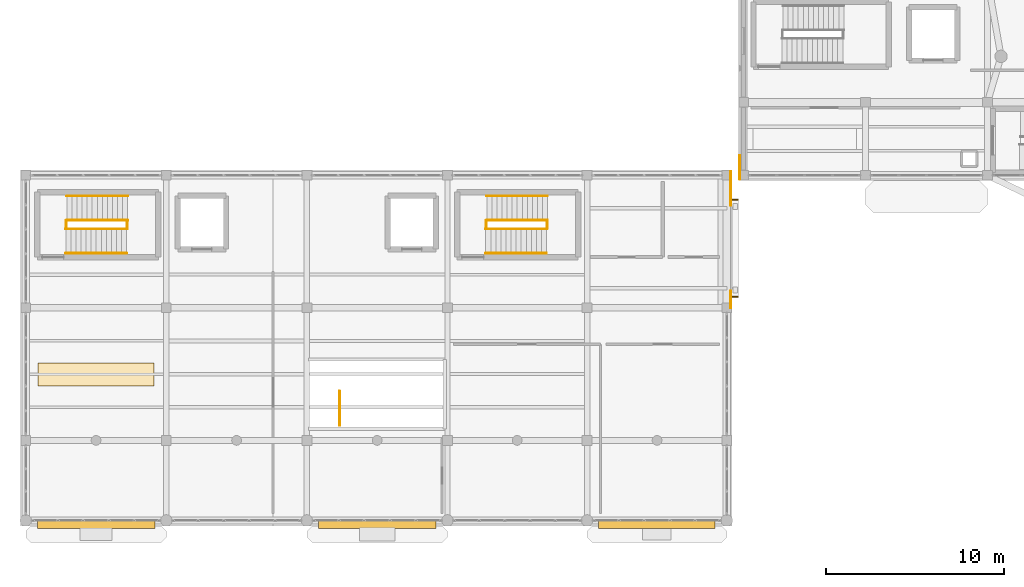
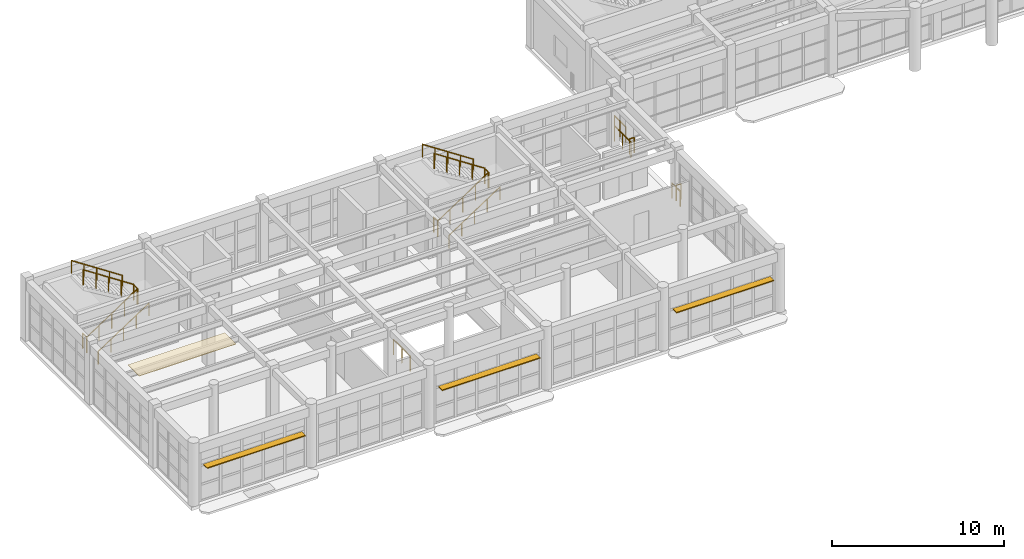
# One storey, part 77 of 85: 18 railings, 3 shading devices, 1 covering.
"""IFC4 building model written with IfcOpenShell, lengths in metres."""

from ifc_helpers import new_model, si_unit, direction, frame, origin, origin_2d, place, context, subcontext, project, spatial, rectangle, circle, extrude, material, layer, layer_set, type_object, element, save


model = new_model("IFC4")

# Units and contexts
model_context = context("Model", 3, precision=1e-05, world=origin(), true_north=direction((0.0, 1.0)))
body_context = subcontext(model_context, "Body", "Model", "MODEL_VIEW")
ifc_project = project(units=[si_unit("LENGTHUNIT", "METRE"), si_unit("AREAUNIT", "SQUARE_METRE"), si_unit("VOLUMEUNIT", "CUBIC_METRE"), si_unit("PLANEANGLEUNIT", "RADIAN"), si_unit("MASSUNIT", "GRAM", prefix="KILO")], contexts=[model_context])

# Site, building, storey
site_placement = place(None, origin())
site = spatial("IfcSite", under=ifc_project, at=site_placement, CompositionType="ELEMENT")
building_placement = place(site_placement, origin())
building = spatial("IfcBuilding", under=site, at=building_placement, Name="Candilejo Ridge Gondola Terminal", CompositionType="ELEMENT")
storey_placement = place(building_placement, frame((0.0, 0.0, 4.5)))
storey = spatial("IfcBuildingStorey", under=building, at=storey_placement, Name="L01", CompositionType="ELEMENT", Elevation=4.5)

# Covering
ifc_material_1 = material(Name="Perforated acoustic aluminium linear plank ceiling", Category="aluminium")
ifc_layer = layer(ifc_material_1, 0.044921875)
ifc_layer_set = layer_set([ifc_layer], Name="ARC-COV-CEILING-AC")
covering_type = type_object("IfcCoveringType", Name="ARC-COV-CEILING-AC", PredefinedType="CEILING", material=ifc_layer_set)
covering_placement = place(storey_placement, frame((8.25, 14.5, 4.20556640625), z_axis=(0.0, 0.0, 1.0), x_axis=(1.0, 0.0, 0.0)))
element("IfcCovering", 1, at=covering_placement, inside=storey, type_object=covering_type, Name="Acoustic ceiling CL-V1-L01-A", PredefinedType="CEILING", context=body_context, shape_type="SweptSolid", body=[
    extrude(rectangle(XDim=6.5, YDim=1.300048828125, at=origin_2d()), origin(), (0.0, 0.0, 1.0), 0.044921875),
])

# Railings
ifc_material_2 = material(Name="Hot-dip galvanised steel ASTM A500 Grade B", Category="steel")
railing_type_1 = type_object("IfcRailingType", Name="ARC-GUARD-GLASS-1150", PredefinedType="GUARDRAIL", material=ifc_material_2)
for number, where, name in (
    (2, (44.02001953125, 18.8798828125, 0.0), "Link bridge guard LB-SJ1-L01-S"),
    (3, (44.02001953125, 24.320068359375, 0.0), "Link bridge guard LB-SJ1-L01-N"),
):
    element("IfcRailing", number, at=place(storey_placement, frame(where)), inside=storey, type_object=railing_type_1, Name=name, PredefinedType="GUARDRAIL", context=body_context, shape_type="SweptSolid", body=[
        extrude(circle(Radius=0.02392578125, at=origin_2d()), frame((0.0, 0.0, 1.076171875), z_axis=(1.0, 0.0, 0.0), x_axis=(0.0, 1.0, 0.0)), (0.0, 0.0, 1.0), 0.31005859375),
        extrude(circle(Radius=0.02099609375, at=origin_2d()), origin(), (0.0, 0.0, 1.0), 1.052001953125),
        extrude(circle(Radius=0.02099609375, at=origin_2d()), frame((0.31005859375, 0.0, 0.0)), (0.0, 0.0, 1.0), 1.052001953125),
    ])
railing_1_placement = place(storey_placement, frame((43.919921875, 18.25, 0.0)))
element("IfcRailing", 4, at=railing_1_placement, inside=storey, type_object=railing_type_1, Name="Deck edge guard GR-V1-L01-E1", PredefinedType="GUARDRAIL", context=body_context, shape_type="SweptSolid", body=[
    extrude(circle(Radius=0.02392578125, at=origin_2d()), frame((0.0, 0.0, 1.076171875), z_axis=(0.0, 1.0, 0.0), x_axis=(-1.0, 0.0, 0.0)), (0.0, 0.0, 1.0), 0.949951171875),
    extrude(circle(Radius=0.02099609375, at=origin_2d()), origin(), (0.0, 0.0, 1.0), 1.052001953125),
    extrude(circle(Radius=0.02099609375, at=origin_2d()), frame((0.0, 0.949951171875, 0.0)), (0.0, 0.0, 1.0), 1.052001953125),
])
railing_2_placement = place(storey_placement, frame((43.919921875, 24.0, 0.0)))
element("IfcRailing", 5, at=railing_2_placement, inside=storey, type_object=railing_type_1, Name="Deck edge guard GR-V1-L01-E2", PredefinedType="GUARDRAIL", context=body_context, shape_type="SweptSolid", body=[
    extrude(circle(Radius=0.02392578125, at=origin_2d()), frame((0.0, 0.0, 1.076171875), z_axis=(0.0, 1.0, 0.0), x_axis=(-1.0, 0.0, 0.0)), (0.0, 0.0, 1.0), 1.919921875),
    extrude(circle(Radius=0.02099609375, at=origin_2d()), origin(), (0.0, 0.0, 1.0), 1.052001953125),
    extrude(circle(Radius=0.02099609375, at=origin_2d()), frame((0.0, 0.9599609375, 0.0)), (0.0, 0.0, 1.0), 1.052001953125),
    extrude(circle(Radius=0.02099609375, at=origin_2d()), frame((0.0, 1.919921875, 0.0)), (0.0, 0.0, 1.0), 1.052001953125),
])
railing_3_placement = place(storey_placement, frame((44.429931640625, 25.47998046875, 0.0)))
element("IfcRailing", 6, at=railing_3_placement, inside=storey, type_object=railing_type_1, Name="Deck edge guard GR-V2-L01-W1", PredefinedType="GUARDRAIL", context=body_context, shape_type="SweptSolid", body=[
    extrude(circle(Radius=0.02392578125, at=origin_2d()), frame((0.0, 0.0, 1.076171875), z_axis=(0.0, 1.0, 0.0), x_axis=(-1.0, 0.0, 0.0)), (0.0, 0.0, 1.0), 1.320068359375),
    extrude(circle(Radius=0.02099609375, at=origin_2d()), origin(), (0.0, 0.0, 1.0), 1.052001953125),
    extrude(circle(Radius=0.02099609375, at=origin_2d()), frame((0.0, 0.66015625, 0.0)), (0.0, 0.0, 1.0), 1.052001953125),
    extrude(circle(Radius=0.02099609375, at=origin_2d()), frame((0.0, 1.320068359375, 0.0)), (0.0, 0.0, 1.0), 1.052001953125),
])
ifc_material_3 = material(Name="Hot-dip galvanised steel ASTM A500 Grade B", Category="steel")
railing_type_2 = type_object("IfcRailingType", Name="ARC-STAIR-GUARD-1100", PredefinedType="GUARDRAIL", material=ifc_material_3)
railing_4_placement = place(storey_placement, frame((6.580078125, 22.68505859375, 0.0)))
element("IfcRailing", 7, at=railing_4_placement, inside=storey, type_object=railing_type_2, Name="Arrival well guard ST-V1A-L00-ARR-L01", PredefinedType="GUARDRAIL", context=body_context, shape_type="SweptSolid", body=[
    extrude(circle(Radius=0.02392578125, at=origin_2d()), frame((0.0, 0.0, 1.076171875), z_axis=(0.0, 1.0, 0.0), x_axis=(-1.0, 0.0, 0.0)), (0.0, 0.0, 1.0), 0.47998046875),
    extrude(circle(Radius=0.02099609375, at=origin_2d()), origin(), (0.0, 0.0, 1.0), 1.052001953125),
    extrude(circle(Radius=0.02099609375, at=origin_2d()), frame((0.0, 0.47998046875, 0.0)), (0.0, 0.0, 1.0), 1.052001953125),
])
railing_5_placement = place(storey_placement, frame((6.550048828125, 22.68505859375, 0.0)))
element("IfcRailing", 8, at=railing_5_placement, inside=storey, type_object=railing_type_2, Name="Flight well guard ST-V1A-F03", PredefinedType="GUARDRAIL", context=body_context, shape_type="SweptSolid", body=[
    extrude(circle(Radius=0.02392578125, at=origin_2d()), frame((0.0, 0.0, 1.076171875), z_axis=(0.835411317272, 0.0, 0.549625264133), x_axis=(0.0, 1.0, 0.0)), (0.0, 0.0, 1.0), 4.09375),
    extrude(circle(Radius=0.02099609375, at=origin_2d()), origin(), (0.0, 0.0, 1.0), 1.052001953125),
    extrude(circle(Radius=0.02099609375, at=origin_2d()), frame((0.85498046875, 0.0, 0.5625)), (0.0, 0.0, 1.0), 1.052001953125),
    extrude(circle(Radius=0.02099609375, at=origin_2d()), frame((1.7099609375, 0.0, 1.125)), (0.0, 0.0, 1.0), 1.052001953125),
    extrude(circle(Radius=0.02099609375, at=origin_2d()), frame((2.56494140625, 0.0, 1.6875)), (0.0, 0.0, 1.0), 1.052001953125),
    extrude(circle(Radius=0.02099609375, at=origin_2d()), frame((3.419921875, 0.0, 2.25)), (0.0, 0.0, 1.0), 1.052001953125),
])
railing_6_placement = place(storey_placement, frame((10.0, 22.68505859375, 2.25)))
element("IfcRailing", 9, at=railing_6_placement, inside=storey, type_object=railing_type_2, Name="Half-landing slot guard ST-V1A-LND-02", PredefinedType="GUARDRAIL", context=body_context, shape_type="SweptSolid", body=[
    extrude(circle(Radius=0.02392578125, at=origin_2d()), frame((0.0, 0.0, 1.076171875), z_axis=(0.0, 1.0, 0.0), x_axis=(-1.0, 0.0, 0.0)), (0.0, 0.0, 1.0), 0.47998046875),
    extrude(circle(Radius=0.02099609375, at=origin_2d()), origin(), (0.0, 0.0, 1.0), 1.052001953125),
    extrude(circle(Radius=0.02099609375, at=origin_2d()), frame((0.0, 0.47998046875, 0.0)), (0.0, 0.0, 1.0), 1.052001953125),
])
railing_7_placement = place(storey_placement, frame((10.030029296875, 23.1650390625, 2.25)))
element("IfcRailing", 10, at=railing_7_placement, inside=storey, type_object=railing_type_2, Name="Flight well guard ST-V1A-F04", PredefinedType="GUARDRAIL", context=body_context, shape_type="SweptSolid", body=[
    extrude(circle(Radius=0.02392578125, at=origin_2d()), frame((0.0, 0.0, 1.076171875), z_axis=(-0.835411317272, 0.0, 0.549625264133), x_axis=(0.0, -1.0, 0.0)), (0.0, 0.0, 1.0), 4.09375),
    extrude(circle(Radius=0.02099609375, at=origin_2d()), origin(), (0.0, 0.0, 1.0), 1.052001953125),
    extrude(circle(Radius=0.02099609375, at=origin_2d()), frame((-0.85498046875, 0.0, 0.5625)), (0.0, 0.0, 1.0), 1.052001953125),
    extrude(circle(Radius=0.02099609375, at=origin_2d()), frame((-1.7099609375, 0.0, 1.125)), (0.0, 0.0, 1.0), 1.052001953125),
    extrude(circle(Radius=0.02099609375, at=origin_2d()), frame((-2.56494140625, 0.0, 1.6875)), (0.0, 0.0, 1.0), 1.052001953125),
    extrude(circle(Radius=0.02099609375, at=origin_2d()), frame((-3.419921875, 0.0, 2.25)), (0.0, 0.0, 1.0), 1.052001953125),
])
railing_8_placement = place(storey_placement, frame((30.179931640625, 22.68505859375, 0.0)))
element("IfcRailing", 11, at=railing_8_placement, inside=storey, type_object=railing_type_2, Name="Arrival well guard ST-V1B-L00-ARR-L01", PredefinedType="GUARDRAIL", context=body_context, shape_type="SweptSolid", body=[
    extrude(circle(Radius=0.02392578125, at=origin_2d()), frame((0.0, 0.0, 1.076171875), z_axis=(0.0, 1.0, 0.0), x_axis=(-1.0, 0.0, 0.0)), (0.0, 0.0, 1.0), 0.47998046875),
    extrude(circle(Radius=0.02099609375, at=origin_2d()), origin(), (0.0, 0.0, 1.0), 1.052001953125),
    extrude(circle(Radius=0.02099609375, at=origin_2d()), frame((0.0, 0.47998046875, 0.0)), (0.0, 0.0, 1.0), 1.052001953125),
])
railing_9_placement = place(storey_placement, frame((30.14990234375, 22.68505859375, 0.0)))
element("IfcRailing", 12, at=railing_9_placement, inside=storey, type_object=railing_type_2, Name="Flight well guard ST-V1B-F03", PredefinedType="GUARDRAIL", context=body_context, shape_type="SweptSolid", body=[
    extrude(circle(Radius=0.02392578125, at=origin_2d()), frame((0.0, 0.0, 1.076171875), z_axis=(0.835429331894, 0.0, 0.549597881557), x_axis=(0.0, 1.0, 0.0)), (0.0, 0.0, 1.0), 4.093994140625),
    extrude(circle(Radius=0.02099609375, at=origin_2d()), origin(), (0.0, 0.0, 1.0), 1.052001953125),
    extrude(circle(Radius=0.02099609375, at=origin_2d()), frame((0.85498046875, 0.0, 0.5625)), (0.0, 0.0, 1.0), 1.052001953125),
    extrude(circle(Radius=0.02099609375, at=origin_2d()), frame((1.7099609375, 0.0, 1.125)), (0.0, 0.0, 1.0), 1.052001953125),
    extrude(circle(Radius=0.02099609375, at=origin_2d()), frame((2.565185546875, 0.0, 1.6875)), (0.0, 0.0, 1.0), 1.052001953125),
    extrude(circle(Radius=0.02099609375, at=origin_2d()), frame((3.420166015625, 0.0, 2.25)), (0.0, 0.0, 1.0), 1.052001953125),
])
railing_10_placement = place(storey_placement, frame((33.60009765625, 22.68505859375, 2.25)))
element("IfcRailing", 13, at=railing_10_placement, inside=storey, type_object=railing_type_2, Name="Half-landing slot guard ST-V1B-LND-02", PredefinedType="GUARDRAIL", context=body_context, shape_type="SweptSolid", body=[
    extrude(circle(Radius=0.02392578125, at=origin_2d()), frame((0.0, 0.0, 1.076171875), z_axis=(0.0, 1.0, 0.0), x_axis=(-1.0, 0.0, 0.0)), (0.0, 0.0, 1.0), 0.47998046875),
    extrude(circle(Radius=0.02099609375, at=origin_2d()), origin(), (0.0, 0.0, 1.0), 1.052001953125),
    extrude(circle(Radius=0.02099609375, at=origin_2d()), frame((0.0, 0.47998046875, 0.0)), (0.0, 0.0, 1.0), 1.052001953125),
])
railing_11_placement = place(storey_placement, frame((33.6298828125, 23.1650390625, 2.25)))
element("IfcRailing", 14, at=railing_11_placement, inside=storey, type_object=railing_type_2, Name="Flight well guard ST-V1B-F04", PredefinedType="GUARDRAIL", context=body_context, shape_type="SweptSolid", body=[
    extrude(circle(Radius=0.02392578125, at=origin_2d()), frame((0.0, 0.0, 1.076171875), z_axis=(-0.835411317272, 0.0, 0.549625264133), x_axis=(0.0, -1.0, 0.0)), (0.0, 0.0, 1.0), 4.09375),
    extrude(circle(Radius=0.02099609375, at=origin_2d()), origin(), (0.0, 0.0, 1.0), 1.052001953125),
    extrude(circle(Radius=0.02099609375, at=origin_2d()), frame((-0.85498046875, 0.0, 0.5625)), (0.0, 0.0, 1.0), 1.052001953125),
    extrude(circle(Radius=0.02099609375, at=origin_2d()), frame((-1.7099609375, 0.0, 1.125)), (0.0, 0.0, 1.0), 1.052001953125),
    extrude(circle(Radius=0.02099609375, at=origin_2d()), frame((-2.56494140625, 0.0, 1.6875)), (0.0, 0.0, 1.0), 1.052001953125),
    extrude(circle(Radius=0.02099609375, at=origin_2d()), frame((-3.419921875, 0.0, 2.25)), (0.0, 0.0, 1.0), 1.052001953125),
])
railing_12_placement = place(storey_placement, frame((21.93994140625, 11.635009765625, 0.0)))
element("IfcRailing", 15, at=railing_12_placement, inside=storey, type_object=railing_type_2, Name="Public stair arrival well guard ST-P01-ARR-L01", PredefinedType="GUARDRAIL", context=body_context, shape_type="SweptSolid", body=[
    extrude(circle(Radius=0.02392578125, at=origin_2d()), frame((0.0, 0.0, 1.076171875), z_axis=(0.0, 1.0, 0.0), x_axis=(-1.0, 0.0, 0.0)), (0.0, 0.0, 1.0), 1.929931640625),
    extrude(circle(Radius=0.02099609375, at=origin_2d()), origin(), (0.0, 0.0, 1.0), 1.052001953125),
    extrude(circle(Radius=0.02099609375, at=origin_2d()), frame((0.0, 0.96484375, 0.0)), (0.0, 0.0, 1.0), 1.052001953125),
    extrude(circle(Radius=0.02099609375, at=origin_2d()), frame((0.0, 1.929931640625, 0.0)), (0.0, 0.0, 1.0), 1.052001953125),
])
ifc_material_4 = material(Name="Brushed stainless steel AISI 316", Category="steel")
railing_type_3 = type_object("IfcRailingType", Name="ARC-STAIR-HANDRAIL-920", PredefinedType="HANDRAIL", material=ifc_material_4)
railing_13_placement = place(storey_placement, frame((6.550048828125, 21.31494140625, 0.0)))
element("IfcRailing", 16, at=railing_13_placement, inside=storey, type_object=railing_type_3, Name="Wall handrail ST-V1A-F03", PredefinedType="HANDRAIL", context=body_context, shape_type="SweptSolid", body=[
    extrude(circle(Radius=0.02392578125, at=origin_2d()), frame((0.0, 0.0, 0.89599609375), z_axis=(0.835411317272, 0.0, 0.549625264133), x_axis=(0.0, 1.0, 0.0)), (0.0, 0.0, 1.0), 4.09375),
    extrude(circle(Radius=0.02099609375, at=origin_2d()), origin(), (0.0, 0.0, 1.0), 0.871826171875),
    extrude(circle(Radius=0.02099609375, at=origin_2d()), frame((0.85498046875, 0.0, 0.5625)), (0.0, 0.0, 1.0), 0.871826171875),
    extrude(circle(Radius=0.02099609375, at=origin_2d()), frame((1.7099609375, 0.0, 1.125)), (0.0, 0.0, 1.0), 0.871826171875),
    extrude(circle(Radius=0.02099609375, at=origin_2d()), frame((2.56494140625, 0.0, 1.6875)), (0.0, 0.0, 1.0), 0.871826171875),
    extrude(circle(Radius=0.02099609375, at=origin_2d()), frame((3.419921875, 0.0, 2.25)), (0.0, 0.0, 1.0), 0.871826171875),
])
railing_14_placement = place(storey_placement, frame((10.030029296875, 24.534912109375, 2.25)))
element("IfcRailing", 17, at=railing_14_placement, inside=storey, type_object=railing_type_3, Name="Wall handrail ST-V1A-F04", PredefinedType="HANDRAIL", context=body_context, shape_type="SweptSolid", body=[
    extrude(circle(Radius=0.02392578125, at=origin_2d()), frame((0.0, 0.0, 0.89599609375), z_axis=(-0.835411317272, 0.0, 0.549625264133), x_axis=(0.0, -1.0, 0.0)), (0.0, 0.0, 1.0), 4.09375),
    extrude(circle(Radius=0.02099609375, at=origin_2d()), origin(), (0.0, 0.0, 1.0), 0.871826171875),
    extrude(circle(Radius=0.02099609375, at=origin_2d()), frame((-0.85498046875, 0.0, 0.5625)), (0.0, 0.0, 1.0), 0.871826171875),
    extrude(circle(Radius=0.02099609375, at=origin_2d()), frame((-1.7099609375, 0.0, 1.125)), (0.0, 0.0, 1.0), 0.871826171875),
    extrude(circle(Radius=0.02099609375, at=origin_2d()), frame((-2.56494140625, 0.0, 1.6875)), (0.0, 0.0, 1.0), 0.871826171875),
    extrude(circle(Radius=0.02099609375, at=origin_2d()), frame((-3.419921875, 0.0, 2.25)), (0.0, 0.0, 1.0), 0.871826171875),
])
railing_15_placement = place(storey_placement, frame((30.14990234375, 21.31494140625, 0.0)))
element("IfcRailing", 18, at=railing_15_placement, inside=storey, type_object=railing_type_3, Name="Wall handrail ST-V1B-F03", PredefinedType="HANDRAIL", context=body_context, shape_type="SweptSolid", body=[
    extrude(circle(Radius=0.02392578125, at=origin_2d()), frame((0.0, 0.0, 0.89599609375), z_axis=(0.835429331894, 0.0, 0.549597881557), x_axis=(0.0, 1.0, 0.0)), (0.0, 0.0, 1.0), 4.093994140625),
    extrude(circle(Radius=0.02099609375, at=origin_2d()), origin(), (0.0, 0.0, 1.0), 0.871826171875),
    extrude(circle(Radius=0.02099609375, at=origin_2d()), frame((0.85498046875, 0.0, 0.5625)), (0.0, 0.0, 1.0), 0.871826171875),
    extrude(circle(Radius=0.02099609375, at=origin_2d()), frame((1.7099609375, 0.0, 1.125)), (0.0, 0.0, 1.0), 0.871826171875),
    extrude(circle(Radius=0.02099609375, at=origin_2d()), frame((2.565185546875, 0.0, 1.6875)), (0.0, 0.0, 1.0), 0.871826171875),
    extrude(circle(Radius=0.02099609375, at=origin_2d()), frame((3.420166015625, 0.0, 2.25)), (0.0, 0.0, 1.0), 0.871826171875),
])
railing_16_placement = place(storey_placement, frame((33.6298828125, 24.534912109375, 2.25)))
element("IfcRailing", 19, at=railing_16_placement, inside=storey, type_object=railing_type_3, Name="Wall handrail ST-V1B-F04", PredefinedType="HANDRAIL", context=body_context, shape_type="SweptSolid", body=[
    extrude(circle(Radius=0.02392578125, at=origin_2d()), frame((0.0, 0.0, 0.89599609375), z_axis=(-0.835411317272, 0.0, 0.549625264133), x_axis=(0.0, -1.0, 0.0)), (0.0, 0.0, 1.0), 4.09375),
    extrude(circle(Radius=0.02099609375, at=origin_2d()), origin(), (0.0, 0.0, 1.0), 0.871826171875),
    extrude(circle(Radius=0.02099609375, at=origin_2d()), frame((-0.85498046875, 0.0, 0.5625)), (0.0, 0.0, 1.0), 0.871826171875),
    extrude(circle(Radius=0.02099609375, at=origin_2d()), frame((-1.7099609375, 0.0, 1.125)), (0.0, 0.0, 1.0), 0.871826171875),
    extrude(circle(Radius=0.02099609375, at=origin_2d()), frame((-2.56494140625, 0.0, 1.6875)), (0.0, 0.0, 1.0), 0.871826171875),
    extrude(circle(Radius=0.02099609375, at=origin_2d()), frame((-3.419921875, 0.0, 2.25)), (0.0, 0.0, 1.0), 0.871826171875),
])

# Shading devices
ifc_material_5 = material(Name="Anodised aluminium AA 6063-T6", Category="aluminum")
shading_device_type = type_object("IfcShadingDeviceType", Name="ARC-SHADING-JALOUSIE-450", PredefinedType="JALOUSIE", material=ifc_material_5)
for number, where, name in (
    (20, (8.25, 6.06103515625, 2.517578125), "Horizontal solar louvre LVR-V1-01"),
    (21, (24.050048828125, 6.06103515625, 2.517578125), "Horizontal solar louvre LVR-V1-02"),
):
    element("IfcShadingDevice", number, at=place(storey_placement, frame(where)), inside=storey, type_object=shading_device_type, Name=name, PredefinedType="JALOUSIE", context=body_context, shape_type="SweptSolid", body=[
        extrude(rectangle(XDim=6.60009765625, YDim=0.449951171875, at=origin_2d()), origin(), (0.0, 0.0, 1.0), 0.06494140625),
    ])
shading_device_placement = place(storey_placement, frame((39.77490234375, 6.06103515625, 2.517578125)))
element("IfcShadingDevice", 22, at=shading_device_placement, inside=storey, type_object=shading_device_type, Name="Horizontal solar louvre LVR-V1-03", PredefinedType="JALOUSIE", context=body_context, shape_type="SweptSolid", body=[
    extrude(rectangle(XDim=6.550048828125, YDim=0.449951171875, at=origin_2d()), origin(), (0.0, 0.0, 1.0), 0.06494140625),
])

save(model, "model.ifc")
